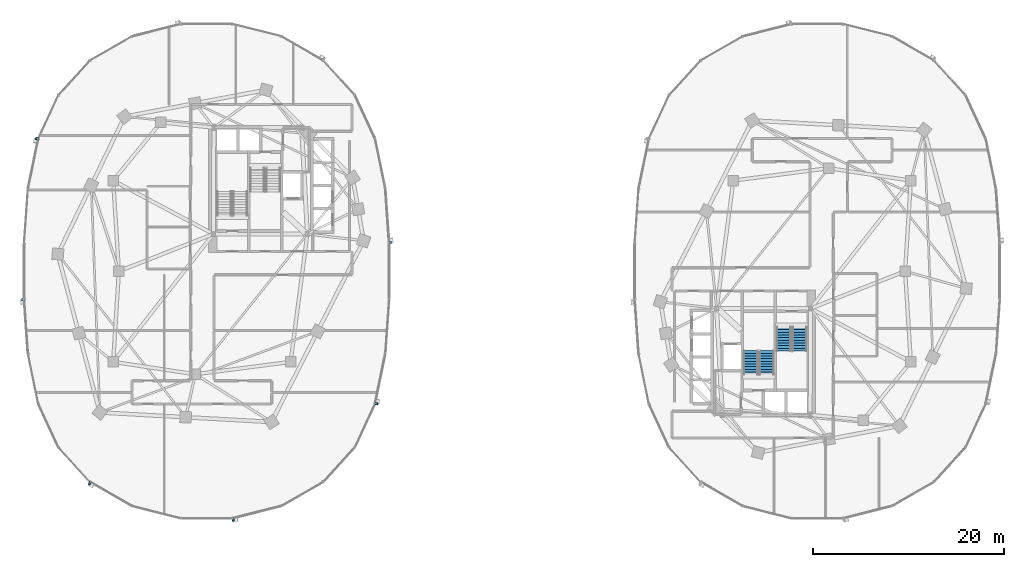
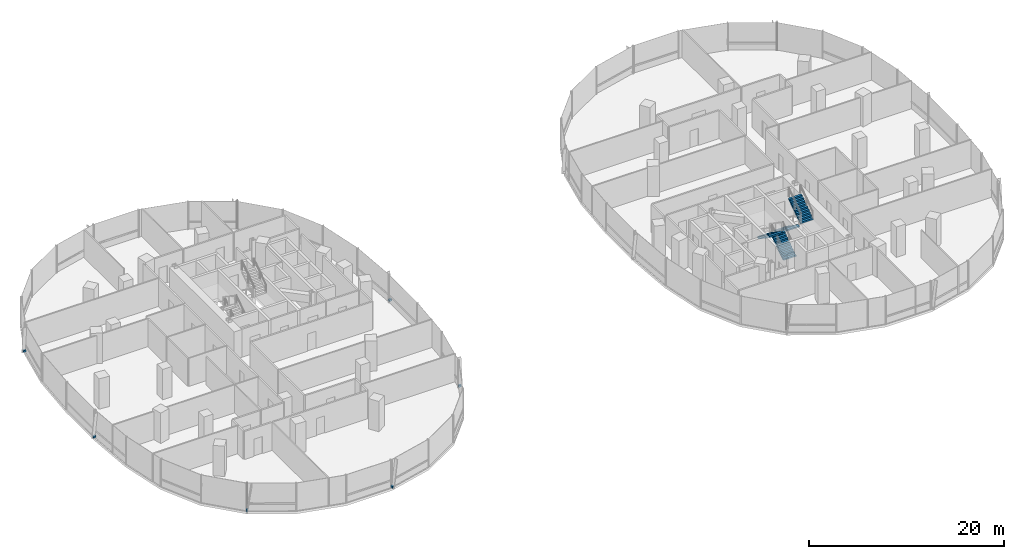
# One storey, part 15 of 22: 6 discrete accessories, 4 stair flights, 2 elements without a shape of their own.
"""IFC4 building model written with IfcOpenShell, lengths in metres."""

from ifc_helpers import new_model, si_unit, direction, frame, origin, origin_2d, place, context, subcontext, project, spatial, polyline, rectangle, outline, extrude, material, type_object, element, aggregate, save


model = new_model("IFC4")

# Units and contexts
model_context = context("Model", 3, precision=1e-05, world=origin(), true_north=direction((0.0, 1.0)))
body_context = subcontext(model_context, "Body", "Model", "MODEL_VIEW")
ifc_project = project(units=[si_unit("LENGTHUNIT", "METRE"), si_unit("AREAUNIT", "SQUARE_METRE"), si_unit("VOLUMEUNIT", "CUBIC_METRE"), si_unit("PLANEANGLEUNIT", "RADIAN"), si_unit("MASSUNIT", "GRAM", prefix="KILO"), si_unit("THERMODYNAMICTEMPERATUREUNIT", "KELVIN"), si_unit("POWERUNIT", "WATT")], contexts=[model_context])

# Site, building, storey
site_placement = place(None, origin())
site = spatial("IfcSite", under=ifc_project, at=site_placement, CompositionType="ELEMENT")
building_placement = place(site_placement, origin())
building = spatial("IfcBuilding", under=site, at=building_placement, Name="Cundina Bronze Exchange", CompositionType="ELEMENT")
storey_placement = place(building_placement, frame((0.0, 0.0, 43.0)))
storey = spatial("IfcBuildingStorey", under=building, at=storey_placement, Name="L10", CompositionType="ELEMENT", Elevation=43.0)

# Stair, stair flights
ifc_material_1 = material(Name="Concrete C40/50", Category="concrete")
stair_type = type_object("IfcStairType", Name="STR-TRD-380", PredefinedType="HALF_TURN_STAIR", material=ifc_material_1)
stair_1_placement = place(storey_placement, origin())
stair_1 = element("IfcStair", 1, at=stair_1_placement, inside=storey, type_object=stair_type, Name="L10 Smokeproof Exit Stair E1", PredefinedType="HALF_TURN_STAIR")
stair_flight_type = type_object("IfcStairFlightType", Name="FLG-TRD-190", PredefinedType="STRAIGHT", material=ifc_material_1)
stair_flight_1_placement = place(storey_placement, frame((28.489990234375, -5.85009765625, 0.0), z_axis=(0.0, 0.0, 1.0), x_axis=(0.0, -1.0, 0.0)))
stair_flight_1 = element("IfcStairFlight", 2, at=stair_flight_1_placement, type_object=stair_flight_type, Name="ST-E1 flight 1", NumberOfRisers=10, NumberOfTreads=9, PredefinedType="STRAIGHT", RiserHeight=0.19, TreadLength=0.28, context=body_context, shape_type="SweptSolid", body=[
    extrude(outline(polyline([(0.0, 0.0), (0.0, 0.18994140625), (0.280029296875, 0.18994140625), (0.280029296875, 0.3798828125), (0.56005859375, 0.3798828125), (0.56005859375, 0.570068359375), (0.840087890625, 0.570068359375), (0.840087890625, 0.760009765625), (1.1201171875, 0.760009765625), (1.1201171875, 0.949951171875), (1.39990234375, 0.949951171875), (1.39990234375, 1.139892578125), (1.679931640625, 1.139892578125), (1.679931640625, 1.330078125), (1.9599609375, 1.330078125), (1.9599609375, 1.52001953125), (2.239990234375, 1.52001953125), (2.239990234375, 1.7099609375), (2.52001953125, 1.7099609375), (2.52001953125, 1.89990234375), (2.52001953125, 1.52880859375), (0.266845703125, 0.0), (0.0, 0.0)])), frame((0.0, 0.75, 0.0), z_axis=(0.0, -1.0, 0.0), x_axis=(1.0, 0.0, 0.0)), (0.0, 0.0, 1.0), 1.5),
])
stair_flight_2_placement = place(storey_placement, frame((30.14990234375, -8.3701171875, 1.89990234375), z_axis=(0.0, 0.0, 1.0), x_axis=(0.0, 1.0, 0.0)))
stair_flight_2 = element("IfcStairFlight", 3, at=stair_flight_2_placement, type_object=stair_flight_type, Name="ST-E1 flight 2", NumberOfRisers=10, NumberOfTreads=9, PredefinedType="STRAIGHT", RiserHeight=0.19, TreadLength=0.28, context=body_context, shape_type="SweptSolid", body=[
    extrude(outline(polyline([(0.0, 0.0), (0.0, 0.18994140625), (0.280029296875, 0.18994140625), (0.280029296875, 0.3798828125), (0.56005859375, 0.3798828125), (0.56005859375, 0.570068359375), (0.840087890625, 0.570068359375), (0.840087890625, 0.760009765625), (1.1201171875, 0.760009765625), (1.1201171875, 0.949951171875), (1.39990234375, 0.949951171875), (1.39990234375, 1.139892578125), (1.679931640625, 1.139892578125), (1.679931640625, 1.330078125), (1.9599609375, 1.330078125), (1.9599609375, 1.52001953125), (2.239990234375, 1.52001953125), (2.239990234375, 1.7099609375), (2.52001953125, 1.7099609375), (2.52001953125, 1.89990234375), (2.52001953125, 1.52880859375), (0.266845703125, 0.0), (0.0, 0.0)])), frame((0.0, 0.75, 0.0), z_axis=(0.0, -1.0, 0.0), x_axis=(1.0, 0.0, 0.0)), (0.0, 0.0, 1.0), 1.5),
])
aggregate(stair_1, [stair_flight_1, stair_flight_2])

stair_2_placement = place(storey_placement, origin())
stair_2 = element("IfcStair", 4, at=stair_2_placement, inside=storey, type_object=stair_type, Name="L10 Smokeproof Exit Stair E2", PredefinedType="HALF_TURN_STAIR")
stair_flight_3_placement = place(storey_placement, frame((26.68994140625, -10.85009765625, 0.0), z_axis=(0.0, 0.0, 1.0), x_axis=(0.0, 1.0, 0.0)))
stair_flight_3 = element("IfcStairFlight", 5, at=stair_flight_3_placement, type_object=stair_flight_type, Name="ST-E2 flight 1", NumberOfRisers=10, NumberOfTreads=9, PredefinedType="STRAIGHT", RiserHeight=0.19, TreadLength=0.28, context=body_context, shape_type="SweptSolid", body=[
    extrude(outline(polyline([(0.0, 0.0), (0.0, 0.18994140625), (0.280029296875, 0.18994140625), (0.280029296875, 0.3798828125), (0.56005859375, 0.3798828125), (0.56005859375, 0.570068359375), (0.840087890625, 0.570068359375), (0.840087890625, 0.760009765625), (1.1201171875, 0.760009765625), (1.1201171875, 0.949951171875), (1.39990234375, 0.949951171875), (1.39990234375, 1.139892578125), (1.679931640625, 1.139892578125), (1.679931640625, 1.330078125), (1.9599609375, 1.330078125), (1.9599609375, 1.52001953125), (2.239990234375, 1.52001953125), (2.239990234375, 1.7099609375), (2.52001953125, 1.7099609375), (2.52001953125, 1.89990234375), (2.52001953125, 1.52880859375), (0.266845703125, 0.0), (0.0, 0.0)])), frame((0.0, 0.75, 0.0), z_axis=(0.0, -1.0, 0.0), x_axis=(1.0, 0.0, 0.0)), (0.0, 0.0, 1.0), 1.5),
])
stair_flight_4_placement = place(storey_placement, frame((25.030029296875, -8.330078125, 1.89990234375), z_axis=(0.0, 0.0, 1.0), x_axis=(0.0, -1.0, 0.0)))
stair_flight_4 = element("IfcStairFlight", 6, at=stair_flight_4_placement, type_object=stair_flight_type, Name="ST-E2 flight 2", NumberOfRisers=10, NumberOfTreads=9, PredefinedType="STRAIGHT", RiserHeight=0.19, TreadLength=0.28, context=body_context, shape_type="SweptSolid", body=[
    extrude(outline(polyline([(0.0, 0.0), (0.0, 0.18994140625), (0.280029296875, 0.18994140625), (0.280029296875, 0.3798828125), (0.56005859375, 0.3798828125), (0.56005859375, 0.570068359375), (0.840087890625, 0.570068359375), (0.840087890625, 0.760009765625), (1.1201171875, 0.760009765625), (1.1201171875, 0.949951171875), (1.39990234375, 0.949951171875), (1.39990234375, 1.139892578125), (1.679931640625, 1.139892578125), (1.679931640625, 1.330078125), (1.9599609375, 1.330078125), (1.9599609375, 1.52001953125), (2.239990234375, 1.52001953125), (2.239990234375, 1.7099609375), (2.52001953125, 1.7099609375), (2.52001953125, 1.89990234375), (2.52001953125, 1.52880859375), (0.266845703125, 0.0), (0.0, 0.0)])), frame((0.0, 0.75, 0.0), z_axis=(0.0, -1.0, 0.0), x_axis=(1.0, 0.0, 0.0)), (0.0, 0.0, 1.0), 1.5),
])
aggregate(stair_2, [stair_flight_3, stair_flight_4])

# Discrete accessories
ifc_material_2 = material(Name="Anodised Bronze Aluminium 6063-T6", Category="aluminium")
discrete_accessory_type = type_object("IfcDiscreteAccessoryType", Name="ACC-BRK-FIN", PredefinedType="BRACKET", material=ifc_material_2)
for number, where, z_axis, x_axis, name in (
    (7, (-12.735595703125, 2.986083984375, 0.10009765625), (0.0, 0.0, 1.0), (-0.070278787473, 0.997527389113, 0.0), "L10 Fin Support Bracket 1"),
    (8, (-49.788330078125, 13.8896484375, 0.10009765625), (0.0, 0.0, 1.0), (-0.201419845156, -0.979505000486, 0.0), "L10 Fin Support Bracket 5"),
    (9, (-51.264404296875, -2.986083984375, 0.10009765625), (0.0, 0.0, 1.0), (0.070278787473, -0.997527389113, 0.0), "L10 Fin Support Bracket 1"),
    (10, (-44.259521484375, -22.21875, 0.10009765625), (0.0, 0.0, 1.0), (0.867105478933, -0.498124571171, 0.0), "L10 Fin Support Bracket 5"),
    (11, (-29.23974609375, -26.03173828125, 0.10009765625), (0.0, 0.0, 1.0), (0.969488149345, 0.245138182011, 0.0), "L10 Fin Support Bracket 1"),
    (12, (-14.211669921875, -13.8896484375, 0.10009765625), (0.0, 0.0, 1.0), (0.201419845156, 0.979505000486, 0.0), "L10 Fin Support Bracket 5"),
):
    element("IfcDiscreteAccessory", number, at=place(storey_placement, frame(where, z_axis=z_axis, x_axis=x_axis)), inside=storey, type_object=discrete_accessory_type, Name=name, PredefinedType="BRACKET", context=body_context, shape_type="SweptSolid", body=[
        extrude(rectangle(XDim=0.219970703125, YDim=0.320068359375, at=origin_2d()), origin(), (0.0, 0.0, 1.0), 0.239990234375),
    ])

save(model, "model.ifc")
